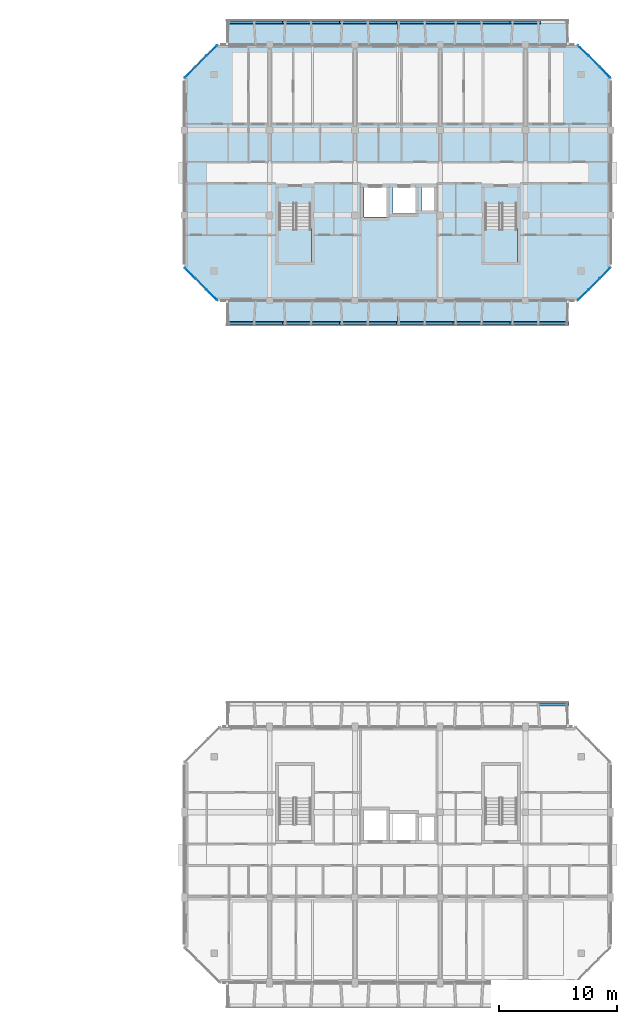
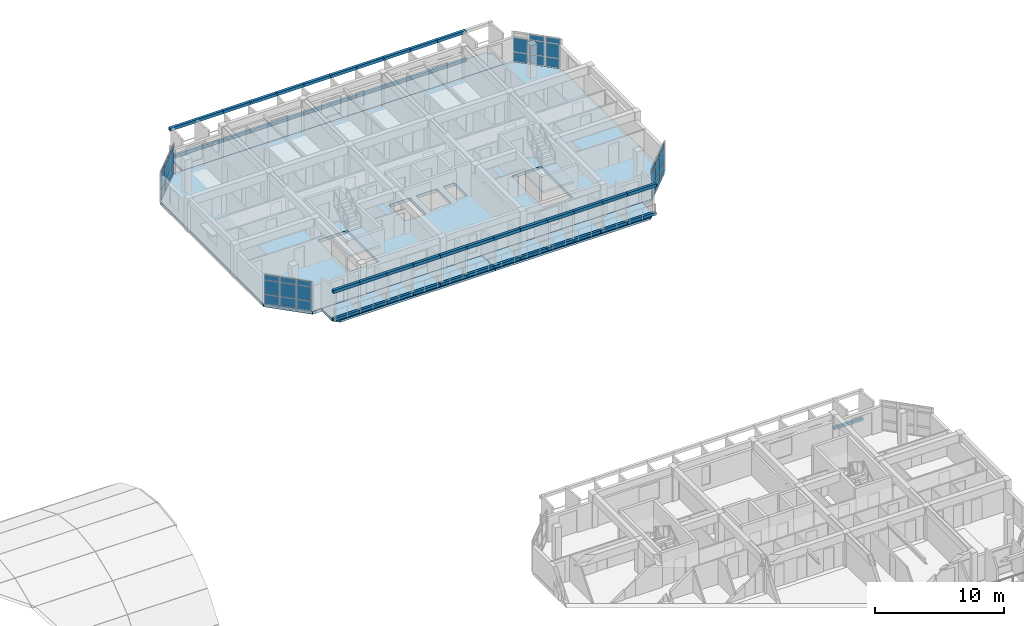
# One storey, part 18 of 51: 82 plates, 7 slabs, 6 elements without a shape of their own.
"""IFC4 building model written with IfcOpenShell, lengths in metres."""

from ifc_helpers import new_model, si_unit, direction, frame, origin, origin_2d, place, context, subcontext, project, spatial, polyline, rectangle, outline, extrude, material, layer, layer_set, type_object, element, aggregate, save


model = new_model("IFC4")

# Units and contexts
model_context = context("Model", 3, precision=1e-05, world=origin(), true_north=direction((0.0, 1.0)))
body_context = subcontext(model_context, "Body", "Model", "MODEL_VIEW")
ifc_project = project(units=[si_unit("LENGTHUNIT", "METRE"), si_unit("AREAUNIT", "SQUARE_METRE"), si_unit("VOLUMEUNIT", "CUBIC_METRE"), si_unit("PLANEANGLEUNIT", "RADIAN"), si_unit("MASSUNIT", "GRAM", prefix="KILO")], contexts=[model_context])

# Site, building, storey
site_placement = place(None, origin())
site = spatial("IfcSite", under=ifc_project, at=site_placement, CompositionType="ELEMENT")
building_placement = place(site_placement, origin())
building = spatial("IfcBuilding", under=site, at=building_placement, Name="Ochrevale Crest", CompositionType="ELEMENT")
storey_placement = place(building_placement, frame((0.0, 0.0, 11.85009765625)))
storey = spatial("IfcBuildingStorey", under=building, at=storey_placement, Name="L03", CompositionType="ELEMENT", Elevation=11.85009765625)

# Curtain wall, plates
ifc_material_1 = material(Name="Anodised aluminium 6063-T5", Category="aluminium")
ifc_layer_1 = layer(ifc_material_1, 0.14990234375)
ifc_layer_set_1 = layer_set([ifc_layer_1], Name="Anodised aluminium 6063-T5")
curtain_wall_type_1 = type_object("IfcCurtainWallType", Name="CW-WG-240x285", PredefinedType="NOTDEFINED", material=ifc_layer_set_1)
curtain_wall_1_placement = place(storey_placement, origin())
curtain_wall_1 = element("IfcCurtainWall", 1, at=curtain_wall_1_placement, inside=storey, type_object=curtain_wall_type_1, Name="Block D L03 chamfered corner wintergarden curtain wall 2", PredefinedType="NOTDEFINED")
ifc_material_2 = material(Name="Double-glazed low-E insulated glass unit", Category="glass")
ifc_layer_2 = layer(ifc_material_2, 0.028076171875)
ifc_layer_set_2 = layer_set([ifc_layer_2], Name="Double-glazed low-E insulated glass unit")
plate_type_1 = type_object("IfcPlateType", Name="CW-PNL-IGU28", PredefinedType="CURTAIN_PANEL", material=ifc_layer_set_2)
plate_1_placement = place(storey_placement, frame((163.280029296875, 72.47998046875, 0.06005859375), z_axis=(0.0, 0.0, 1.0), x_axis=(0.707106781187, 0.707106781187, 0.0)))
plate_1 = element("IfcPlate", 2, at=plate_1_placement, type_object=plate_type_1, Name="CW15 panel 1.1", PredefinedType="CURTAIN_PANEL", context=body_context, shape_type="SweptSolid", body=[
    extrude(rectangle(XDim=1.20751953125, YDim=0.028076171875, at=origin_2d()), origin(), (0.0, 0.0, 1.0), 0.860107421875),
])
plate_2_placement = place(storey_placement, frame((163.280029296875, 72.47998046875, 0.97998046875), z_axis=(0.0, 0.0, 1.0), x_axis=(0.707106781187, 0.707106781187, 0.0)))
plate_2 = element("IfcPlate", 3, at=plate_2_placement, type_object=plate_type_1, Name="CW15 panel 1.2", PredefinedType="CURTAIN_PANEL", context=body_context, shape_type="SweptSolid", body=[
    extrude(rectangle(XDim=1.20751953125, YDim=0.028076171875, at=origin_2d()), origin(), (0.0, 0.0, 1.0), 1.31494140625),
])
plate_3_placement = place(storey_placement, frame((163.280029296875, 72.47998046875, 2.35498046875), z_axis=(0.0, 0.0, 1.0), x_axis=(0.707106781187, 0.707106781187, 0.0)))
plate_3 = element("IfcPlate", 4, at=plate_3_placement, type_object=plate_type_1, Name="CW15 panel 1.3", PredefinedType="CURTAIN_PANEL", context=body_context, shape_type="SweptSolid", body=[
    extrude(rectangle(XDim=1.20751953125, YDim=0.028076171875, at=origin_2d()), origin(), (0.0, 0.0, 1.0), 0.4599609375),
])
plate_4_placement = place(storey_placement, frame((164.199951171875, 73.39990234375, 0.06005859375), z_axis=(0.0, 0.0, 1.0), x_axis=(0.707106781187, 0.707106781187, 0.0)))
plate_4 = element("IfcPlate", 5, at=plate_4_placement, type_object=plate_type_1, Name="CW15 panel 2.1", PredefinedType="CURTAIN_PANEL", context=body_context, shape_type="SweptSolid", body=[
    extrude(rectangle(XDim=1.244873046875, YDim=0.028076171875, at=origin_2d()), origin(), (0.0, 0.0, 1.0), 0.860107421875),
])
plate_5_placement = place(storey_placement, frame((164.199951171875, 73.39990234375, 0.97998046875), z_axis=(0.0, 0.0, 1.0), x_axis=(0.707106781187, 0.707106781187, 0.0)))
plate_5 = element("IfcPlate", 6, at=plate_5_placement, type_object=plate_type_1, Name="CW15 panel 2.2", PredefinedType="CURTAIN_PANEL", context=body_context, shape_type="SweptSolid", body=[
    extrude(rectangle(XDim=1.244873046875, YDim=0.028076171875, at=origin_2d()), origin(), (0.0, 0.0, 1.0), 1.31494140625),
])
plate_6_placement = place(storey_placement, frame((164.199951171875, 73.39990234375, 2.35498046875), z_axis=(0.0, 0.0, 1.0), x_axis=(0.707106781187, 0.707106781187, 0.0)))
plate_6 = element("IfcPlate", 7, at=plate_6_placement, type_object=plate_type_1, Name="CW15 panel 2.3", PredefinedType="CURTAIN_PANEL", context=body_context, shape_type="SweptSolid", body=[
    extrude(rectangle(XDim=1.244873046875, YDim=0.028076171875, at=origin_2d()), origin(), (0.0, 0.0, 1.0), 0.4599609375),
])
plate_7_placement = place(storey_placement, frame((165.1201171875, 74.320068359375, 0.06005859375), z_axis=(0.0, 0.0, 1.0), x_axis=(0.707106781187, 0.707106781187, 0.0)))
plate_7 = element("IfcPlate", 8, at=plate_7_placement, type_object=plate_type_1, Name="CW15 panel 3.1", PredefinedType="CURTAIN_PANEL", context=body_context, shape_type="SweptSolid", body=[
    extrude(rectangle(XDim=1.20751953125, YDim=0.028076171875, at=origin_2d()), origin(), (0.0, 0.0, 1.0), 0.860107421875),
])
plate_8_placement = place(storey_placement, frame((165.1201171875, 74.320068359375, 0.97998046875), z_axis=(0.0, 0.0, 1.0), x_axis=(0.707106781187, 0.707106781187, 0.0)))
plate_8 = element("IfcPlate", 9, at=plate_8_placement, type_object=plate_type_1, Name="CW15 panel 3.2", PredefinedType="CURTAIN_PANEL", context=body_context, shape_type="SweptSolid", body=[
    extrude(rectangle(XDim=1.20751953125, YDim=0.028076171875, at=origin_2d()), origin(), (0.0, 0.0, 1.0), 1.31494140625),
])
plate_9_placement = place(storey_placement, frame((165.1201171875, 74.320068359375, 2.35498046875), z_axis=(0.0, 0.0, 1.0), x_axis=(0.707106781187, 0.707106781187, 0.0)))
plate_9 = element("IfcPlate", 10, at=plate_9_placement, type_object=plate_type_1, Name="CW15 panel 3.3", PredefinedType="CURTAIN_PANEL", context=body_context, shape_type="SweptSolid", body=[
    extrude(rectangle(XDim=1.20751953125, YDim=0.028076171875, at=origin_2d()), origin(), (0.0, 0.0, 1.0), 0.4599609375),
])
aggregate(curtain_wall_1, [plate_1, plate_2, plate_3, plate_4, plate_5, plate_6, plate_7, plate_8, plate_9])

ifc_layer_3 = layer(ifc_material_1, 0.14990234375)
ifc_layer_set_3 = layer_set([ifc_layer_3], Name="Anodised aluminium 6063-T5")
curtain_wall_type_2 = type_object("IfcCurtainWallType", Name="CW-WG-320x285", PredefinedType="NOTDEFINED", material=ifc_layer_set_3)
curtain_wall_2_placement = place(storey_placement, origin())
curtain_wall_2 = element("IfcCurtainWall", 11, at=curtain_wall_2_placement, inside=storey, type_object=curtain_wall_type_2, Name="Block D L03 chamfered corner wintergarden curtain wall 4", PredefinedType="NOTDEFINED")
plate_10_placement = place(storey_placement, frame((165.1201171875, 91.280029296875, 0.06005859375), z_axis=(0.0, 0.0, 1.0), x_axis=(-0.707106781187, 0.707106781187, 0.0)))
plate_10 = element("IfcPlate", 12, at=plate_10_placement, type_object=plate_type_1, Name="CW17 panel 1.1", PredefinedType="CURTAIN_PANEL", context=body_context, shape_type="SweptSolid", body=[
    extrude(rectangle(XDim=1.20751953125, YDim=0.028076171875, at=origin_2d()), origin(), (0.0, 0.0, 1.0), 0.860107421875),
])
plate_11_placement = place(storey_placement, frame((165.1201171875, 91.280029296875, 0.97998046875), z_axis=(0.0, 0.0, 1.0), x_axis=(-0.707106781187, 0.707106781187, 0.0)))
plate_11 = element("IfcPlate", 13, at=plate_11_placement, type_object=plate_type_1, Name="CW17 panel 1.2", PredefinedType="CURTAIN_PANEL", context=body_context, shape_type="SweptSolid", body=[
    extrude(rectangle(XDim=1.20751953125, YDim=0.028076171875, at=origin_2d()), origin(), (0.0, 0.0, 1.0), 1.31494140625),
])
plate_12_placement = place(storey_placement, frame((165.1201171875, 91.280029296875, 2.35498046875), z_axis=(0.0, 0.0, 1.0), x_axis=(-0.707106781187, 0.707106781187, 0.0)))
plate_12 = element("IfcPlate", 14, at=plate_12_placement, type_object=plate_type_1, Name="CW17 panel 1.3", PredefinedType="CURTAIN_PANEL", context=body_context, shape_type="SweptSolid", body=[
    extrude(rectangle(XDim=1.20751953125, YDim=0.028076171875, at=origin_2d()), origin(), (0.0, 0.0, 1.0), 0.4599609375),
])
plate_13_placement = place(storey_placement, frame((164.199951171875, 92.199951171875, 0.06005859375), z_axis=(0.0, 0.0, 1.0), x_axis=(-0.707106781187, 0.707106781187, 0.0)))
plate_13 = element("IfcPlate", 15, at=plate_13_placement, type_object=plate_type_1, Name="CW17 panel 2.1", PredefinedType="CURTAIN_PANEL", context=body_context, shape_type="SweptSolid", body=[
    extrude(rectangle(XDim=1.244873046875, YDim=0.028076171875, at=origin_2d()), origin(), (0.0, 0.0, 1.0), 0.860107421875),
])
plate_14_placement = place(storey_placement, frame((164.199951171875, 92.199951171875, 0.97998046875), z_axis=(0.0, 0.0, 1.0), x_axis=(-0.707106781187, 0.707106781187, 0.0)))
plate_14 = element("IfcPlate", 16, at=plate_14_placement, type_object=plate_type_1, Name="CW17 panel 2.2", PredefinedType="CURTAIN_PANEL", context=body_context, shape_type="SweptSolid", body=[
    extrude(rectangle(XDim=1.244873046875, YDim=0.028076171875, at=origin_2d()), origin(), (0.0, 0.0, 1.0), 1.31494140625),
])
plate_15_placement = place(storey_placement, frame((164.199951171875, 92.199951171875, 2.35498046875), z_axis=(0.0, 0.0, 1.0), x_axis=(-0.707106781187, 0.707106781187, 0.0)))
plate_15 = element("IfcPlate", 17, at=plate_15_placement, type_object=plate_type_1, Name="CW17 panel 2.3", PredefinedType="CURTAIN_PANEL", context=body_context, shape_type="SweptSolid", body=[
    extrude(rectangle(XDim=1.244873046875, YDim=0.028076171875, at=origin_2d()), origin(), (0.0, 0.0, 1.0), 0.4599609375),
])
plate_16_placement = place(storey_placement, frame((163.280029296875, 93.1201171875, 0.06005859375), z_axis=(0.0, 0.0, 1.0), x_axis=(-0.707106781187, 0.707106781187, 0.0)))
plate_16 = element("IfcPlate", 18, at=plate_16_placement, type_object=plate_type_1, Name="CW17 panel 3.1", PredefinedType="CURTAIN_PANEL", context=body_context, shape_type="SweptSolid", body=[
    extrude(rectangle(XDim=1.20751953125, YDim=0.028076171875, at=origin_2d()), origin(), (0.0, 0.0, 1.0), 0.860107421875),
])
plate_17_placement = place(storey_placement, frame((163.280029296875, 93.1201171875, 0.97998046875), z_axis=(0.0, 0.0, 1.0), x_axis=(-0.707106781187, 0.707106781187, 0.0)))
plate_17 = element("IfcPlate", 19, at=plate_17_placement, type_object=plate_type_1, Name="CW17 panel 3.2", PredefinedType="CURTAIN_PANEL", context=body_context, shape_type="SweptSolid", body=[
    extrude(rectangle(XDim=1.20751953125, YDim=0.028076171875, at=origin_2d()), origin(), (0.0, 0.0, 1.0), 1.31494140625),
])
aggregate(curtain_wall_2, [plate_10, plate_11, plate_12, plate_13, plate_14, plate_15, plate_16, plate_17])

ifc_layer_4 = layer(ifc_material_1, 0.14990234375)
ifc_layer_set_4 = layer_set([ifc_layer_4], Name="Anodised aluminium 6063-T5")
curtain_wall_type_3 = type_object("IfcCurtainWallType", Name="CW-WG-420x285", PredefinedType="NOTDEFINED", material=ifc_layer_set_4)
curtain_wall_3_placement = place(storey_placement, origin())
curtain_wall_3 = element("IfcCurtainWall", 20, at=curtain_wall_3_placement, inside=storey, type_object=curtain_wall_type_3, Name="Block D L03 chamfered corner wintergarden curtain wall 6", PredefinedType="NOTDEFINED")
plate_18_placement = place(storey_placement, frame((131.920166015625, 93.1201171875, 0.06005859375), z_axis=(0.0, 0.0, 1.0), x_axis=(-0.707106781187, -0.707106781187, 0.0)))
plate_18 = element("IfcPlate", 21, at=plate_18_placement, type_object=plate_type_1, Name="CW22 panel 1.1", PredefinedType="CURTAIN_PANEL", context=body_context, shape_type="SweptSolid", body=[
    extrude(rectangle(XDim=1.20751953125, YDim=0.028076171875, at=origin_2d()), origin(), (0.0, 0.0, 1.0), 0.860107421875),
])
plate_19_placement = place(storey_placement, frame((131.920166015625, 93.1201171875, 0.97998046875), z_axis=(0.0, 0.0, 1.0), x_axis=(-0.707106781187, -0.707106781187, 0.0)))
plate_19 = element("IfcPlate", 22, at=plate_19_placement, type_object=plate_type_1, Name="CW22 panel 1.2", PredefinedType="CURTAIN_PANEL", context=body_context, shape_type="SweptSolid", body=[
    extrude(rectangle(XDim=1.20751953125, YDim=0.028076171875, at=origin_2d()), origin(), (0.0, 0.0, 1.0), 1.31494140625),
])
plate_20_placement = place(storey_placement, frame((131.920166015625, 93.1201171875, 2.35498046875), z_axis=(0.0, 0.0, 1.0), x_axis=(-0.707106781187, -0.707106781187, 0.0)))
plate_20 = element("IfcPlate", 23, at=plate_20_placement, type_object=plate_type_1, Name="CW22 panel 1.3", PredefinedType="CURTAIN_PANEL", context=body_context, shape_type="SweptSolid", body=[
    extrude(rectangle(XDim=1.20751953125, YDim=0.028076171875, at=origin_2d()), origin(), (0.0, 0.0, 1.0), 0.4599609375),
])
plate_21_placement = place(storey_placement, frame((131.0, 92.199951171875, 0.06005859375), z_axis=(0.0, 0.0, 1.0), x_axis=(-0.707106781187, -0.707106781187, 0.0)))
plate_21 = element("IfcPlate", 24, at=plate_21_placement, type_object=plate_type_1, Name="CW22 panel 2.1", PredefinedType="CURTAIN_PANEL", context=body_context, shape_type="SweptSolid", body=[
    extrude(rectangle(XDim=1.244873046875, YDim=0.028076171875, at=origin_2d()), origin(), (0.0, 0.0, 1.0), 0.860107421875),
])
plate_22_placement = place(storey_placement, frame((131.0, 92.199951171875, 0.97998046875), z_axis=(0.0, 0.0, 1.0), x_axis=(-0.707106781187, -0.707106781187, 0.0)))
plate_22 = element("IfcPlate", 25, at=plate_22_placement, type_object=plate_type_1, Name="CW22 panel 2.2", PredefinedType="CURTAIN_PANEL", context=body_context, shape_type="SweptSolid", body=[
    extrude(rectangle(XDim=1.244873046875, YDim=0.028076171875, at=origin_2d()), origin(), (0.0, 0.0, 1.0), 1.31494140625),
])
plate_23_placement = place(storey_placement, frame((131.0, 92.199951171875, 2.35498046875), z_axis=(0.0, 0.0, 1.0), x_axis=(-0.707106781187, -0.707106781187, 0.0)))
plate_23 = element("IfcPlate", 26, at=plate_23_placement, type_object=plate_type_1, Name="CW22 panel 2.3", PredefinedType="CURTAIN_PANEL", context=body_context, shape_type="SweptSolid", body=[
    extrude(rectangle(XDim=1.244873046875, YDim=0.028076171875, at=origin_2d()), origin(), (0.0, 0.0, 1.0), 0.4599609375),
])
plate_24_placement = place(storey_placement, frame((130.079833984375, 91.280029296875, 0.06005859375), z_axis=(0.0, 0.0, 1.0), x_axis=(-0.707106781187, -0.707106781187, 0.0)))
plate_24 = element("IfcPlate", 27, at=plate_24_placement, type_object=plate_type_1, Name="CW22 panel 3.1", PredefinedType="CURTAIN_PANEL", context=body_context, shape_type="SweptSolid", body=[
    extrude(rectangle(XDim=1.20751953125, YDim=0.028076171875, at=origin_2d()), origin(), (0.0, 0.0, 1.0), 0.860107421875),
])
plate_25_placement = place(storey_placement, frame((130.079833984375, 91.280029296875, 0.97998046875), z_axis=(0.0, 0.0, 1.0), x_axis=(-0.707106781187, -0.707106781187, 0.0)))
plate_25 = element("IfcPlate", 28, at=plate_25_placement, type_object=plate_type_1, Name="CW22 panel 3.2", PredefinedType="CURTAIN_PANEL", context=body_context, shape_type="SweptSolid", body=[
    extrude(rectangle(XDim=1.20751953125, YDim=0.028076171875, at=origin_2d()), origin(), (0.0, 0.0, 1.0), 1.31494140625),
])
plate_26_placement = place(storey_placement, frame((130.079833984375, 91.280029296875, 2.35498046875), z_axis=(0.0, 0.0, 1.0), x_axis=(-0.707106781187, -0.707106781187, 0.0)))
plate_26 = element("IfcPlate", 29, at=plate_26_placement, type_object=plate_type_1, Name="CW22 panel 3.3", PredefinedType="CURTAIN_PANEL", context=body_context, shape_type="SweptSolid", body=[
    extrude(rectangle(XDim=1.20751953125, YDim=0.028076171875, at=origin_2d()), origin(), (0.0, 0.0, 1.0), 0.4599609375),
])
aggregate(curtain_wall_3, [plate_18, plate_19, plate_20, plate_21, plate_22, plate_23, plate_24, plate_25, plate_26])

ifc_layer_5 = layer(ifc_material_1, 0.14990234375)
ifc_layer_set_5 = layer_set([ifc_layer_5], Name="Anodised aluminium 6063-T5")
curtain_wall_type_4 = type_object("IfcCurtainWallType", Name="CW-WG-280x285", PredefinedType="NOTDEFINED", material=ifc_layer_set_5)
curtain_wall_4_placement = place(storey_placement, origin())
curtain_wall_4 = element("IfcCurtainWall", 30, at=curtain_wall_4_placement, inside=storey, type_object=curtain_wall_type_4, Name="Block D L03 chamfered corner wintergarden curtain wall 8", PredefinedType="NOTDEFINED")
ifc_material_3 = material(Name="Acoustic laminated low-E insulated glass unit", Category="glass")
ifc_layer_6 = layer(ifc_material_3, 0.0380859375)
ifc_layer_set_6 = layer_set([ifc_layer_6], Name="Acoustic laminated low-E insulated glass unit")
plate_type_2 = type_object("IfcPlateType", Name="CW-PNL-IGU38", PredefinedType="CURTAIN_PANEL", material=ifc_layer_set_6)
plate_27_placement = place(storey_placement, frame((130.079833984375, 74.320068359375, 0.06005859375), z_axis=(0.0, 0.0, 1.0), x_axis=(0.707106781187, -0.707106781187, 0.0)))
plate_27 = element("IfcPlate", 31, at=plate_27_placement, type_object=plate_type_2, Name="CW16 panel 1.1", PredefinedType="CURTAIN_PANEL", context=body_context, shape_type="SweptSolid", body=[
    extrude(rectangle(XDim=1.20751953125, YDim=0.0380859375, at=origin_2d()), origin(), (0.0, 0.0, 1.0), 0.860107421875),
])
plate_28_placement = place(storey_placement, frame((130.079833984375, 74.320068359375, 0.97998046875), z_axis=(0.0, 0.0, 1.0), x_axis=(0.707106781187, -0.707106781187, 0.0)))
plate_28 = element("IfcPlate", 32, at=plate_28_placement, type_object=plate_type_2, Name="CW16 panel 1.2", PredefinedType="CURTAIN_PANEL", context=body_context, shape_type="SweptSolid", body=[
    extrude(rectangle(XDim=1.20751953125, YDim=0.0380859375, at=origin_2d()), origin(), (0.0, 0.0, 1.0), 1.31494140625),
])
plate_29_placement = place(storey_placement, frame((130.079833984375, 74.320068359375, 2.35498046875), z_axis=(0.0, 0.0, 1.0), x_axis=(0.707106781187, -0.707106781187, 0.0)))
plate_29 = element("IfcPlate", 33, at=plate_29_placement, type_object=plate_type_2, Name="CW16 panel 1.3", PredefinedType="CURTAIN_PANEL", context=body_context, shape_type="SweptSolid", body=[
    extrude(rectangle(XDim=1.20751953125, YDim=0.0380859375, at=origin_2d()), origin(), (0.0, 0.0, 1.0), 0.4599609375),
])
plate_30_placement = place(storey_placement, frame((131.0, 73.39990234375, 0.06005859375), z_axis=(0.0, 0.0, 1.0), x_axis=(0.707106781187, -0.707106781187, 0.0)))
plate_30 = element("IfcPlate", 34, at=plate_30_placement, type_object=plate_type_2, Name="CW16 panel 2.1", PredefinedType="CURTAIN_PANEL", context=body_context, shape_type="SweptSolid", body=[
    extrude(rectangle(XDim=1.244873046875, YDim=0.0380859375, at=origin_2d()), origin(), (0.0, 0.0, 1.0), 0.860107421875),
])
plate_31_placement = place(storey_placement, frame((131.0, 73.39990234375, 0.97998046875), z_axis=(0.0, 0.0, 1.0), x_axis=(0.707106781187, -0.707106781187, 0.0)))
plate_31 = element("IfcPlate", 35, at=plate_31_placement, type_object=plate_type_2, Name="CW16 panel 2.2", PredefinedType="CURTAIN_PANEL", context=body_context, shape_type="SweptSolid", body=[
    extrude(rectangle(XDim=1.244873046875, YDim=0.0380859375, at=origin_2d()), origin(), (0.0, 0.0, 1.0), 1.31494140625),
])
plate_32_placement = place(storey_placement, frame((131.0, 73.39990234375, 2.35498046875), z_axis=(0.0, 0.0, 1.0), x_axis=(0.707106781187, -0.707106781187, 0.0)))
plate_32 = element("IfcPlate", 36, at=plate_32_placement, type_object=plate_type_2, Name="CW16 panel 2.3", PredefinedType="CURTAIN_PANEL", context=body_context, shape_type="SweptSolid", body=[
    extrude(rectangle(XDim=1.244873046875, YDim=0.0380859375, at=origin_2d()), origin(), (0.0, 0.0, 1.0), 0.4599609375),
])
plate_33_placement = place(storey_placement, frame((131.920166015625, 72.47998046875, 0.06005859375), z_axis=(0.0, 0.0, 1.0), x_axis=(0.707106781187, -0.707106781187, 0.0)))
plate_33 = element("IfcPlate", 37, at=plate_33_placement, type_object=plate_type_2, Name="CW16 panel 3.1", PredefinedType="CURTAIN_PANEL", context=body_context, shape_type="SweptSolid", body=[
    extrude(rectangle(XDim=1.20751953125, YDim=0.0380859375, at=origin_2d()), origin(), (0.0, 0.0, 1.0), 0.860107421875),
])
plate_34_placement = place(storey_placement, frame((131.920166015625, 72.47998046875, 0.97998046875), z_axis=(0.0, 0.0, 1.0), x_axis=(0.707106781187, -0.707106781187, 0.0)))
plate_34 = element("IfcPlate", 38, at=plate_34_placement, type_object=plate_type_2, Name="CW16 panel 3.2", PredefinedType="CURTAIN_PANEL", context=body_context, shape_type="SweptSolid", body=[
    extrude(rectangle(XDim=1.20751953125, YDim=0.0380859375, at=origin_2d()), origin(), (0.0, 0.0, 1.0), 1.31494140625),
])
plate_35_placement = place(storey_placement, frame((131.920166015625, 72.47998046875, 2.35498046875), z_axis=(0.0, 0.0, 1.0), x_axis=(0.707106781187, -0.707106781187, 0.0)))
plate_35 = element("IfcPlate", 39, at=plate_35_placement, type_object=plate_type_2, Name="CW16 panel 3.3", PredefinedType="CURTAIN_PANEL", context=body_context, shape_type="SweptSolid", body=[
    extrude(rectangle(XDim=1.20751953125, YDim=0.0380859375, at=origin_2d()), origin(), (0.0, 0.0, 1.0), 0.4599609375),
])
aggregate(curtain_wall_4, [plate_27, plate_28, plate_29, plate_30, plate_31, plate_32, plate_33, plate_34, plate_35])

# Plates
ifc_material_4 = material(Name="Precast concrete C40/50", Category="concrete")
ifc_layer_7 = layer(ifc_material_4, 0.06005859375)
ifc_layer_set_7 = layer_set([ifc_layer_7], Name="Precast concrete C40/50")
plate_type_3 = type_object("IfcPlateType", Name="PLT-HC-HEAD-60", PredefinedType="USERDEFINED", material=ifc_layer_set_7)
for number, where, z_axis, x_axis, name in (
    (40, (134.39990234375, 70.10009765625, 2.669921875), (0.0, 0.0, 1.0), (1.0, 0.0, 0.0), "Block D L03 S honeycomb arched lintel fascia 1"),
    (41, (136.800048828125, 70.10009765625, 2.669921875), (0.0, 0.0, 1.0), (1.0, 0.0, 0.0), "Block D L03 S honeycomb arched lintel fascia 2"),
    (42, (139.199951171875, 70.10009765625, 2.669921875), (0.0, 0.0, 1.0), (1.0, 0.0, 0.0), "Block D L03 S honeycomb arched lintel fascia 3"),
    (43, (141.60009765625, 70.10009765625, 2.669921875), (0.0, 0.0, 1.0), (1.0, 0.0, 0.0), "Block D L03 S honeycomb arched lintel fascia 4"),
    (44, (144.0, 70.10009765625, 2.669921875), (0.0, 0.0, 1.0), (1.0, 0.0, 0.0), "Block D L03 S honeycomb arched lintel fascia 5"),
    (45, (146.39990234375, 70.10009765625, 2.669921875), (0.0, 0.0, 1.0), (1.0, 0.0, 0.0), "Block D L03 S honeycomb arched lintel fascia 6"),
    (46, (148.800048828125, 70.10009765625, 2.669921875), (0.0, 0.0, 1.0), (1.0, 0.0, 0.0), "Block D L03 S honeycomb arched lintel fascia 7"),
    (47, (151.199951171875, 70.10009765625, 2.669921875), (0.0, 0.0, 1.0), (1.0, 0.0, 0.0), "Block D L03 S honeycomb arched lintel fascia 8"),
    (48, (153.60009765625, 70.10009765625, 2.669921875), (0.0, 0.0, 1.0), (1.0, 0.0, 0.0), "Block D L03 S honeycomb arched lintel fascia 9"),
    (49, (156.0, 70.10009765625, 2.669921875), (0.0, 0.0, 1.0), (1.0, 0.0, 0.0), "Block D L03 S honeycomb arched lintel fascia 10"),
    (50, (158.39990234375, 70.10009765625, 2.669921875), (0.0, 0.0, 1.0), (1.0, 0.0, 0.0), "Block D L03 S honeycomb arched lintel fascia 11"),
    (51, (160.800048828125, 70.10009765625, 2.669921875), (0.0, 0.0, 1.0), (1.0, 0.0, 0.0), "Block D L03 S honeycomb arched lintel fascia 12"),
    (52, (134.39990234375, 95.5, 2.669921875), (0.0, 0.0, 1.0), (1.0, 0.0, 0.0), "Block D L03 N honeycomb arched lintel fascia 1"),
    (53, (136.800048828125, 95.5, 2.669921875), (0.0, 0.0, 1.0), (1.0, 0.0, 0.0), "Block D L03 N honeycomb arched lintel fascia 2"),
    (54, (139.199951171875, 95.5, 2.669921875), (0.0, 0.0, 1.0), (1.0, 0.0, 0.0), "Block D L03 N honeycomb arched lintel fascia 3"),
    (55, (141.60009765625, 95.5, 2.669921875), (0.0, 0.0, 1.0), (1.0, 0.0, 0.0), "Block D L03 N honeycomb arched lintel fascia 4"),
    (56, (144.0, 95.5, 2.669921875), (0.0, 0.0, 1.0), (1.0, 0.0, 0.0), "Block D L03 N honeycomb arched lintel fascia 5"),
    (57, (146.39990234375, 95.5, 2.669921875), (0.0, 0.0, 1.0), (1.0, 0.0, 0.0), "Block D L03 N honeycomb arched lintel fascia 6"),
    (58, (148.800048828125, 95.5, 2.669921875), (0.0, 0.0, 1.0), (1.0, 0.0, 0.0), "Block D L03 N honeycomb arched lintel fascia 7"),
    (59, (151.199951171875, 95.5, 2.669921875), (0.0, 0.0, 1.0), (1.0, 0.0, 0.0), "Block D L03 N honeycomb arched lintel fascia 8"),
    (60, (153.60009765625, 95.5, 2.669921875), (0.0, 0.0, 1.0), (1.0, 0.0, 0.0), "Block D L03 N honeycomb arched lintel fascia 9"),
    (61, (156.0, 95.5, 2.669921875), (0.0, 0.0, 1.0), (1.0, 0.0, 0.0), "Block D L03 N honeycomb arched lintel fascia 10"),
    (62, (158.39990234375, 95.5, 2.669921875), (0.0, 0.0, 1.0), (1.0, 0.0, 0.0), "Block D L03 N honeycomb arched lintel fascia 11"),
):
    element("IfcPlate", number, at=place(storey_placement, frame(where, z_axis=z_axis, x_axis=x_axis)), inside=storey, type_object=plate_type_3, Name=name, ObjectType="FACADE FASCIA PLATE", PredefinedType="USERDEFINED", context=body_context, shape_type="SweptSolid", body=[
        extrude(rectangle(XDim=2.60009765625, YDim=0.239990234375, at=origin_2d()), origin(), (0.0, 0.0, 1.0), 0.280029296875),
    ])
ifc_layer_8 = layer(ifc_material_4, 0.044921875)
ifc_layer_set_8 = layer_set([ifc_layer_8], Name="Precast concrete C40/50")
plate_type_4 = type_object("IfcPlateType", Name="PLT-HC-SILL-45", PredefinedType="USERDEFINED", material=ifc_layer_set_8)
for number, where, z_axis, x_axis, name in (
    (63, (160.800048828125, 37.89990234375, 0.0), (0.0, 0.0, 1.0), (1.0, 0.0, 0.0), "Block C L03 N honeycomb sill coping plate 12"),
    (64, (134.39990234375, 70.10009765625, 0.0), (0.0, 0.0, 1.0), (1.0, 0.0, 0.0), "Block D L03 S honeycomb sill coping plate 1"),
    (65, (136.800048828125, 70.10009765625, 0.0), (0.0, 0.0, 1.0), (1.0, 0.0, 0.0), "Block D L03 S honeycomb sill coping plate 2"),
    (66, (139.199951171875, 70.10009765625, 0.0), (0.0, 0.0, 1.0), (1.0, 0.0, 0.0), "Block D L03 S honeycomb sill coping plate 3"),
    (67, (141.60009765625, 70.10009765625, 0.0), (0.0, 0.0, 1.0), (1.0, 0.0, 0.0), "Block D L03 S honeycomb sill coping plate 4"),
    (68, (144.0, 70.10009765625, 0.0), (0.0, 0.0, 1.0), (1.0, 0.0, 0.0), "Block D L03 S honeycomb sill coping plate 5"),
    (69, (146.39990234375, 70.10009765625, 0.0), (0.0, 0.0, 1.0), (1.0, 0.0, 0.0), "Block D L03 S honeycomb sill coping plate 6"),
    (70, (148.800048828125, 70.10009765625, 0.0), (0.0, 0.0, 1.0), (1.0, 0.0, 0.0), "Block D L03 S honeycomb sill coping plate 7"),
    (71, (151.199951171875, 70.10009765625, 0.0), (0.0, 0.0, 1.0), (1.0, 0.0, 0.0), "Block D L03 S honeycomb sill coping plate 8"),
    (72, (153.60009765625, 70.10009765625, 0.0), (0.0, 0.0, 1.0), (1.0, 0.0, 0.0), "Block D L03 S honeycomb sill coping plate 9"),
    (73, (156.0, 70.10009765625, 0.0), (0.0, 0.0, 1.0), (1.0, 0.0, 0.0), "Block D L03 S honeycomb sill coping plate 10"),
    (74, (158.39990234375, 70.10009765625, 0.0), (0.0, 0.0, 1.0), (1.0, 0.0, 0.0), "Block D L03 S honeycomb sill coping plate 11"),
    (75, (160.800048828125, 70.10009765625, 0.0), (0.0, 0.0, 1.0), (1.0, 0.0, 0.0), "Block D L03 S honeycomb sill coping plate 12"),
    (76, (134.39990234375, 95.5, 0.0), (0.0, 0.0, 1.0), (1.0, 0.0, 0.0), "Block D L03 N honeycomb sill coping plate 1"),
    (77, (136.800048828125, 95.5, 0.0), (0.0, 0.0, 1.0), (1.0, 0.0, 0.0), "Block D L03 N honeycomb sill coping plate 2"),
    (78, (139.199951171875, 95.5, 0.0), (0.0, 0.0, 1.0), (1.0, 0.0, 0.0), "Block D L03 N honeycomb sill coping plate 3"),
    (79, (141.60009765625, 95.5, 0.0), (0.0, 0.0, 1.0), (1.0, 0.0, 0.0), "Block D L03 N honeycomb sill coping plate 4"),
    (80, (144.0, 95.5, 0.0), (0.0, 0.0, 1.0), (1.0, 0.0, 0.0), "Block D L03 N honeycomb sill coping plate 5"),
    (81, (146.39990234375, 95.5, 0.0), (0.0, 0.0, 1.0), (1.0, 0.0, 0.0), "Block D L03 N honeycomb sill coping plate 6"),
    (82, (148.800048828125, 95.5, 0.0), (0.0, 0.0, 1.0), (1.0, 0.0, 0.0), "Block D L03 N honeycomb sill coping plate 7"),
    (83, (151.199951171875, 95.5, 0.0), (0.0, 0.0, 1.0), (1.0, 0.0, 0.0), "Block D L03 N honeycomb sill coping plate 8"),
    (84, (153.60009765625, 95.5, 0.0), (0.0, 0.0, 1.0), (1.0, 0.0, 0.0), "Block D L03 N honeycomb sill coping plate 9"),
    (85, (156.0, 95.5, 0.0), (0.0, 0.0, 1.0), (1.0, 0.0, 0.0), "Block D L03 N honeycomb sill coping plate 10"),
    (86, (158.39990234375, 95.5, 0.0), (0.0, 0.0, 1.0), (1.0, 0.0, 0.0), "Block D L03 N honeycomb sill coping plate 11"),
):
    element("IfcPlate", number, at=place(storey_placement, frame(where, z_axis=z_axis, x_axis=x_axis)), inside=storey, type_object=plate_type_4, Name=name, ObjectType="SILL COPING PLATE", PredefinedType="USERDEFINED", context=body_context, shape_type="SweptSolid", body=[
        extrude(rectangle(XDim=2.60009765625, YDim=0.219970703125, at=origin_2d()), origin(), (0.0, 0.0, 1.0), 0.260009765625),
    ])

# Slabs
ifc_layer_9 = layer(ifc_material_4, 0.199951171875)
ifc_layer_set_9 = layer_set([ifc_layer_9], Name="Precast concrete C40/50")
slab_type_1 = type_object("IfcSlabType", Name="SLB-BAL-200", PredefinedType="FLOOR", material=ifc_layer_set_9)
slab_1_placement = place(storey_placement, frame((0.0, 0.0, -0.2001953125)))
element("IfcSlab", 87, at=slab_1_placement, inside=storey, type_object=slab_type_1, Name="Block D L03 S1 precast loggia balcony slab", PredefinedType="FLOOR", context=body_context, shape_type="SweptSolid", body=[
    extrude(outline(polyline([(133.64990234375, 69.89990234375), (147.60009765625, 69.89990234375), (147.60009765625, 72.0), (133.199951171875, 72.0), (133.199951171875, 70.35009765625), (133.64990234375, 69.89990234375)])), origin(), (0.0, 0.0, 1.0), 0.2001953125),
])
slab_2_placement = place(storey_placement, frame((0.0, 0.0, -0.2001953125)))
element("IfcSlab", 88, at=slab_2_placement, inside=storey, type_object=slab_type_1, Name="Block D L03 S2 precast loggia balcony slab", PredefinedType="FLOOR", context=body_context, shape_type="SweptSolid", body=[
    extrude(outline(polyline([(147.60009765625, 69.89990234375), (161.550048828125, 69.89990234375), (162.0, 70.35009765625), (162.0, 72.0), (147.60009765625, 72.0), (147.60009765625, 69.89990234375)])), origin(), (0.0, 0.0, 1.0), 0.2001953125),
])
slab_3_placement = place(storey_placement, frame((0.0, 0.0, -0.2001953125)))
element("IfcSlab", 89, at=slab_3_placement, inside=storey, type_object=slab_type_1, Name="Block D L03 N1 precast loggia balcony slab", PredefinedType="FLOOR", context=body_context, shape_type="SweptSolid", body=[
    extrude(outline(polyline([(133.199951171875, 93.60009765625), (147.60009765625, 93.60009765625), (147.60009765625, 95.699951171875), (133.64990234375, 95.699951171875), (133.199951171875, 95.25), (133.199951171875, 93.60009765625)])), origin(), (0.0, 0.0, 1.0), 0.2001953125),
])
slab_4_placement = place(storey_placement, frame((0.0, 0.0, -0.2001953125)))
element("IfcSlab", 90, at=slab_4_placement, inside=storey, type_object=slab_type_1, Name="Block D L03 N2 precast loggia balcony slab", PredefinedType="FLOOR", context=body_context, shape_type="SweptSolid", body=[
    extrude(outline(polyline([(147.60009765625, 93.60009765625), (162.0, 93.60009765625), (162.0, 95.25), (161.550048828125, 95.699951171875), (147.60009765625, 95.699951171875), (147.60009765625, 93.60009765625)])), origin(), (0.0, 0.0, 1.0), 0.2001953125),
])
ifc_layer_10 = layer(ifc_material_4, 0.27490234375)
ifc_layer_set_10 = layer_set([ifc_layer_10], Name="Precast concrete C40/50")
slab_type_2 = type_object("IfcSlabType", Name="SLB-RES-275", PredefinedType="FLOOR", material=ifc_layer_set_10)
slab_5_placement = place(storey_placement, frame((0.0, 0.0, -0.275146484375)))
element("IfcSlab", 91, at=slab_5_placement, inside=storey, type_object=slab_type_2, Name="Block D L03 composite hollowcore floor slab", PredefinedType="FLOOR", context=body_context, shape_type="SweptSolid", body=[
    extrude(outline(polyline([(132.39990234375, 72.0), (162.800048828125, 72.0), (165.60009765625, 74.800048828125), (165.60009765625, 90.800048828125), (162.800048828125, 93.60009765625), (132.39990234375, 93.60009765625), (129.60009765625, 90.800048828125), (129.60009765625, 74.800048828125), (132.39990234375, 72.0)]), holes=[polyline([(137.60009765625, 80.175048828125), (137.60009765625, 75.27490234375), (140.25, 75.27490234375), (140.25, 80.175048828125), (137.60009765625, 80.175048828125)]), polyline([(155.0, 80.175048828125), (155.0, 75.27490234375), (157.64990234375, 75.27490234375), (157.64990234375, 80.175048828125), (155.0, 80.175048828125)]), polyline([(144.75, 79.050048828125), (146.64990234375, 79.050048828125), (146.64990234375, 81.550048828125), (144.75, 81.550048828125), (144.75, 79.050048828125)]), polyline([(147.199951171875, 79.35009765625), (149.10009765625, 79.35009765625), (149.10009765625, 81.550048828125), (147.199951171875, 81.550048828125), (147.199951171875, 79.35009765625)]), polyline([(149.669921875, 79.6201171875), (150.679931640625, 79.6201171875), (150.679931640625, 81.580078125), (149.669921875, 81.580078125), (149.669921875, 79.6201171875)])]), origin(), (0.0, 0.0, 1.0), 0.275146484375),
])

# Stair, slab
stair_type = type_object("IfcStairType", Name="ST-CORE-DOG", PredefinedType="HALF_TURN_STAIR", material=ifc_material_4)
stair_1_placement = place(storey_placement, origin())
stair_1 = element("IfcStair", 92, at=stair_1_placement, inside=storey, type_object=stair_type, Name="L03 Block D Fire Stair 1", PredefinedType="HALF_TURN_STAIR")
ifc_layer_11 = layer(ifc_material_4, 0.199951171875)
ifc_layer_set_11 = layer_set([ifc_layer_11], Name="Precast concrete C40/50")
slab_type_3 = type_object("IfcSlabType", Name="SLB-ST-LAND", PredefinedType="LANDING", material=ifc_layer_set_11)
slab_6_placement = place(storey_placement, frame((0.0, 0.0, 1.375)))
slab_6 = element("IfcSlab", 93, at=slab_6_placement, type_object=slab_type_3, Name="ST-D1 landing 1", PredefinedType="LANDING", context=body_context, shape_type="SweptSolid", body=[
    extrude(outline(polyline([(137.52001953125, 78.06494140625), (137.52001953125, 75.195068359375), (140.330078125, 75.195068359375), (140.330078125, 78.06494140625), (137.52001953125, 78.06494140625)])), origin(), (0.0, 0.0, 1.0), 0.199951171875),
])
aggregate(stair_1, [slab_6])

stair_2_placement = place(storey_placement, origin())
stair_2 = element("IfcStair", 94, at=stair_2_placement, inside=storey, type_object=stair_type, Name="L03 Block D Fire Stair 2", PredefinedType="HALF_TURN_STAIR")
slab_7_placement = place(storey_placement, frame((0.0, 0.0, 1.375)))
slab_7 = element("IfcSlab", 95, at=slab_7_placement, type_object=slab_type_3, Name="ST-D2 landing 1", PredefinedType="LANDING", context=body_context, shape_type="SweptSolid", body=[
    extrude(outline(polyline([(154.919921875, 78.06494140625), (154.919921875, 75.195068359375), (157.72998046875, 75.195068359375), (157.72998046875, 78.06494140625), (154.919921875, 78.06494140625)])), origin(), (0.0, 0.0, 1.0), 0.199951171875),
])
aggregate(stair_2, [slab_7])

save(model, "model.ifc")
